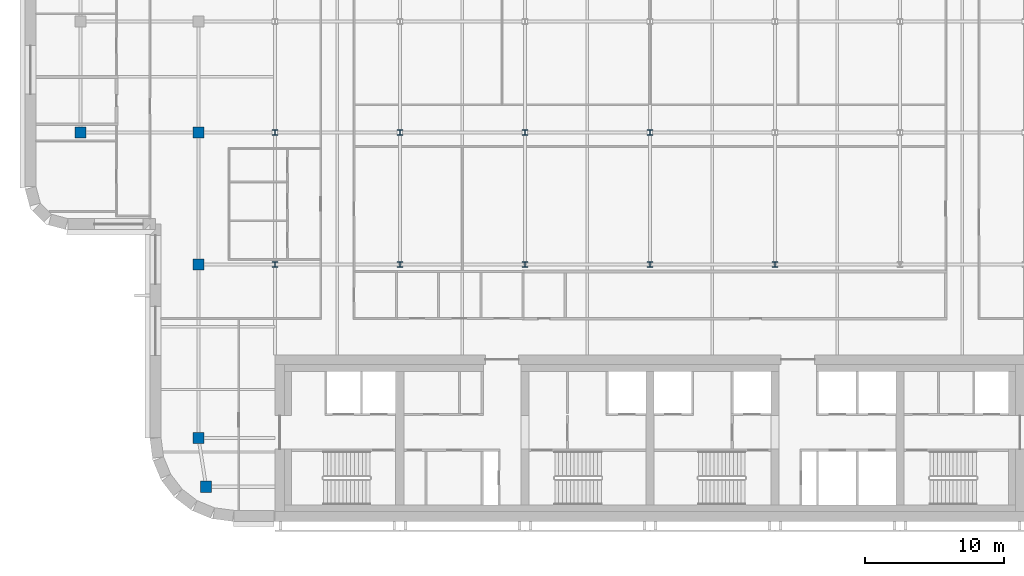
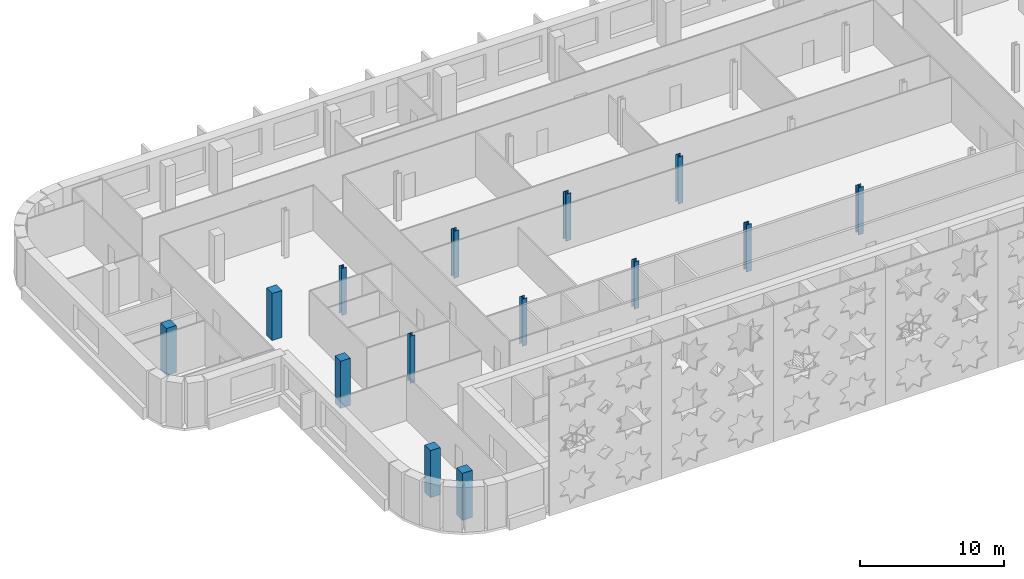
# One storey, part 1 of 18: 14 columns.
"""IFC4 building model written with IfcOpenShell, lengths in metres."""

from ifc_helpers import new_model, si_unit, direction, frame, origin, origin_2d, place, context, subcontext, project, spatial, rectangle, i_section, extrude, material, material_profile, profile_set, type_object, element, save


model = new_model("IFC4")

# Units and contexts
model_context = context("Model", 3, precision=1e-05, world=origin(), true_north=direction((0.0, 1.0)))
body_context = subcontext(model_context, "Body", "Model", "MODEL_VIEW")
ifc_project = project(units=[si_unit("LENGTHUNIT", "METRE"), si_unit("AREAUNIT", "SQUARE_METRE"), si_unit("VOLUMEUNIT", "CUBIC_METRE"), si_unit("PLANEANGLEUNIT", "RADIAN"), si_unit("MASSUNIT", "GRAM", prefix="KILO")], contexts=[model_context])

# Site, building, storey
site_placement = place(None, origin())
site = spatial("IfcSite", under=ifc_project, at=site_placement, CompositionType="ELEMENT")
building_placement = place(site_placement, origin())
building = spatial("IfcBuilding", under=site, at=building_placement, Name="Zellij Exchange Tower", CompositionType="ELEMENT")
storey_placement = place(building_placement, frame((0.0, 0.0, 240.5)))
storey = spatial("IfcBuildingStorey", under=building, at=storey_placement, Name="L56", CompositionType="ELEMENT", Elevation=240.5)

# Columns
ifc_material_1 = material(Name="Concrete C50/60", Category="concrete")
ifc_material_profile_1 = material_profile(ifc_material_1, rectangle(XDim=0.800048828125, YDim=0.800048828125, at=origin_2d()), Name="STR-COLUMN RC800x800 C50/60")
ifc_profile_set_1 = profile_set([ifc_material_profile_1], Name="Concrete C50/60")
column_type_1 = type_object("IfcColumnType", Name="STR-COLUMN RC800x800 C50/60", PredefinedType="COLUMN", material=ifc_profile_set_1)
for number, where, z_axis, x_axis, name in (
    (1, (-31.949951171875, -11.5, 0.0), (0.0, 0.0, 1.0), (1.0, 0.0, 0.0), "C15"),
    (2, (-32.5, -8.0, 0.0), (0.0, 0.0, 1.0), (1.0, 0.0, 0.0), "C15"),
    (3, (-32.5, 4.5, 0.0), (0.0, 0.0, 1.0), (1.0, 0.0, 0.0), "C15"),
    (4, (-41.0, 14.0, 0.0), (0.0, 0.0, 1.0), (1.0, 0.0, 0.0), "C15"),
    (5, (-32.5, 14.0, 0.0), (0.0, 0.0, 1.0), (1.0, 0.0, 0.0), "C15"),
):
    element("IfcColumn", number, at=place(storey_placement, frame(where, z_axis=z_axis, x_axis=x_axis)), inside=storey, type_object=column_type_1, Name=name, PredefinedType="COLUMN", context=body_context, shape_type="SweptSolid", body=[
        extrude(rectangle(XDim=0.800048828125, YDim=0.800048828125, at=origin_2d()), origin(), (0.0, 0.0, 1.0), 4.0),
    ])
ifc_material_2 = material(Name="Structural steel ASTM A992 Gr 50", Category="steel")
ifc_material_profile_2 = material_profile(ifc_material_2, i_section(OverallWidth=0.398681640625, OverallDepth=0.385986328125, WebThickness=0.02099609375, FlangeThickness=0.033203125, at=origin_2d()), Name="W14x176")
ifc_profile_set_2 = profile_set([ifc_material_profile_2], Name="Structural steel ASTM A992 Gr 50")
column_type_2 = type_object("IfcColumnType", Name="STR-COLUMN W14x176", PredefinedType="COLUMN", material=ifc_profile_set_2)
for number, where, z_axis, x_axis, name in (
    (6, (-27.0, 4.5, 0.0), (0.0, 0.0, 1.0), (1.0, 0.0, 0.0), "C2"),
    (7, (-18.0, 4.5, 0.0), (0.0, 0.0, 1.0), (1.0, 0.0, 0.0), "C2"),
    (8, (-9.0, 4.5, 0.0), (0.0, 0.0, 1.0), (1.0, 0.0, 0.0), "C2"),
    (9, (0.0, 4.5, 0.0), (0.0, 0.0, 1.0), (1.0, 0.0, 0.0), "C2"),
    (10, (9.0, 4.5, 0.0), (0.0, 0.0, 1.0), (1.0, 0.0, 0.0), "C2"),
    (11, (-27.0, 14.0, 0.0), (0.0, 0.0, 1.0), (1.0, 0.0, 0.0), "C2"),
    (12, (-18.0, 14.0, 0.0), (0.0, 0.0, 1.0), (1.0, 0.0, 0.0), "C2"),
    (13, (-9.0, 14.0, 0.0), (0.0, 0.0, 1.0), (1.0, 0.0, 0.0), "C2"),
    (14, (0.0, 14.0, 0.0), (0.0, 0.0, 1.0), (1.0, 0.0, 0.0), "C2"),
):
    element("IfcColumn", number, at=place(storey_placement, frame(where, z_axis=z_axis, x_axis=x_axis)), inside=storey, type_object=column_type_2, Name=name, PredefinedType="COLUMN", context=body_context, shape_type="SweptSolid", body=[
        extrude(i_section(OverallWidth=0.398681640625, OverallDepth=0.385986328125, WebThickness=0.02099609375, FlangeThickness=0.033203125, at=origin_2d()), origin(), (0.0, 0.0, 1.0), 4.0),
    ])

save(model, "model.ifc")
